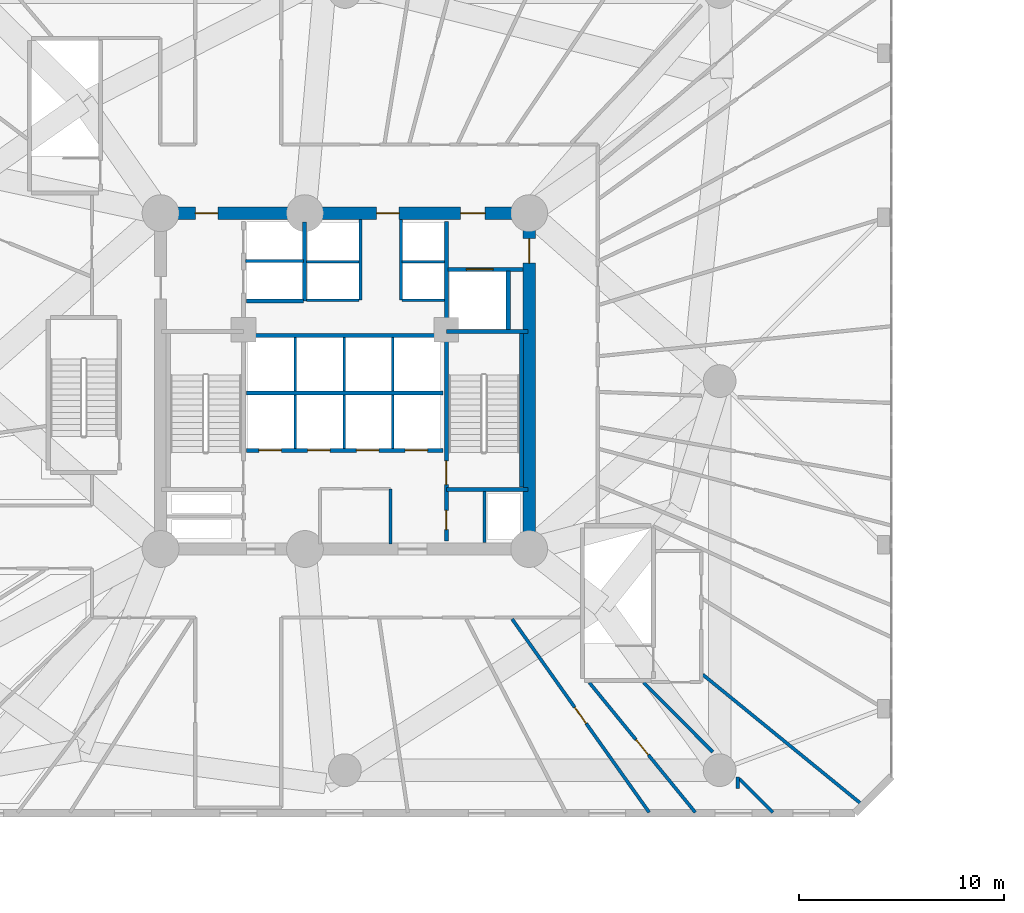
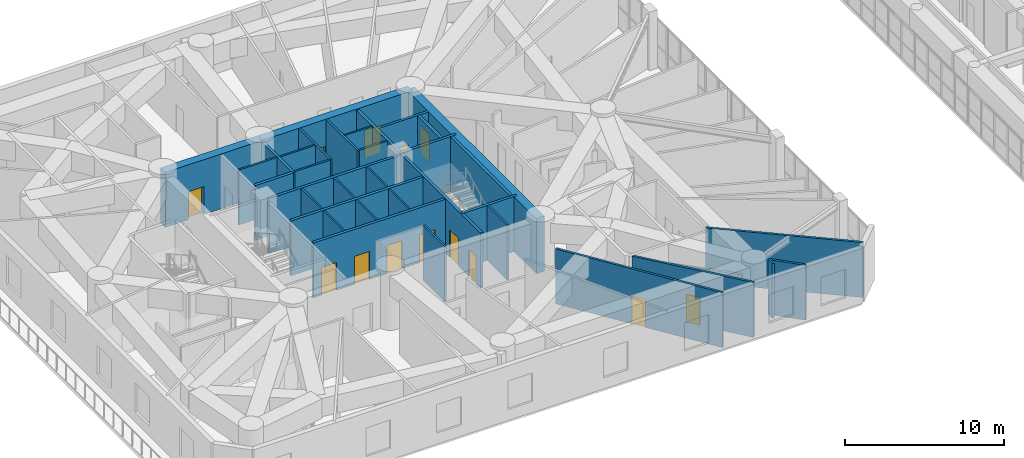
# One storey, part 15 of 22: 35 walls, 13 doors, 13 openings.
"""IFC4 building model written with IfcOpenShell, lengths in metres."""

import ifcopenshell
import ifcopenshell.guid

model = None  # the IFC model being written
_history = None  # IfcOwnerHistory: only IFC2X3 demands one
_inside = {}  # id of a spatial element -> (the spatial element, [elements in it])
_under = {}  # id of a project, library or spatial element -> (it, [spatial elements below it])
_declared = {}  # id of a project -> (the project, [libraries it declares])
_typed = {}  # id of a type object -> (the type object, [elements of that type])
_made_of = {}  # id of a material, layer set ... -> (it, [elements and type objects made of it])


def new_model(schema):
    """Start an empty IFC model of exactly this schema.

    Asked for "IFC4X3", IfcOpenShell would pick the latest addendum, in which some entities
    have other attributes; the version numbers below select the first issue.
    IFC2X3 requires an IfcOwnerHistory on every rooted entity: one is made here for all.
    """
    global model, _history
    if schema == "IFC4X3":
        model = ifcopenshell.file(schema_version=(4, 3, 0, 0))
    else:
        model = ifcopenshell.file(schema=schema)
    _inside.clear()
    _under.clear()
    _declared.clear()
    _typed.clear()
    _made_of.clear()
    _history = None
    if model.schema == "IFC2X3":
        org = make("IfcOrganization", Name="unknown")
        user = make(
            "IfcPersonAndOrganization",
            ThePerson=make("IfcPerson", FamilyName="unknown"),
            TheOrganization=org,
        )
        app = make(
            "IfcApplication",
            ApplicationDeveloper=org,
            Version="unknown",
            ApplicationFullName="unknown",
            ApplicationIdentifier="unknown",
        )
        _history = make(
            "IfcOwnerHistory",
            OwningUser=user,
            OwningApplication=app,
            ChangeAction="ADDED",
            CreationDate=0,
        )
    return model


def make(cls, **values):
    """One entity of the class cls with the attributes given. An attribute that is None is left unset."""
    return model.create_entity(
        cls, **{name: value for name, value in values.items() if value is not None}
    )


def rooted(cls, **values):
    """An entity with a GlobalId (a new one), such as an element, a storey or a relation."""
    return make(cls, GlobalId=ifcopenshell.guid.new(), OwnerHistory=_history, **values)


def si_unit(unit_type, name, prefix=None):
    """IfcSIUnit, for example si_unit("LENGTHUNIT", "METRE", prefix="MILLI")."""
    return make("IfcSIUnit", UnitType=unit_type, Prefix=prefix, Name=name)


def assignment(units):
    """IfcUnitAssignment: the units of a project."""
    return None if units is None else make("IfcUnitAssignment", Units=units)


def point(xyz):
    """IfcCartesianPoint."""
    return None if xyz is None else make("IfcCartesianPoint", Coordinates=xyz)


def direction(xyz):
    """IfcDirection."""
    return None if xyz is None else make("IfcDirection", DirectionRatios=xyz)


def frame(location, z_axis=None, x_axis=None):
    """IfcAxis2Placement3D, a coordinate frame: its origin and axes. An axis left out is left unset."""
    return make(
        "IfcAxis2Placement3D",
        Location=point(location),
        Axis=direction(z_axis),
        RefDirection=direction(x_axis),
    )


def frame_2d(location, x_axis=None):
    """IfcAxis2Placement2D, a coordinate frame in the plane: its origin and x axis."""
    return make(
        "IfcAxis2Placement2D", Location=point(location), RefDirection=direction(x_axis)
    )


def origin():
    """The frame at (0, 0, 0) with its axes left unset."""
    return frame((0.0, 0.0, 0.0))


def origin_with_axes():
    """The frame at (0, 0, 0) with the z axis (0, 0, 1) and the x axis (1, 0, 0) written out."""
    return frame((0.0, 0.0, 0.0), z_axis=(0.0, 0.0, 1.0), x_axis=(1.0, 0.0, 0.0))


def place(relative_to, where):
    """IfcLocalPlacement: puts the frame where relative to a parent placement (None: the world)."""
    return make(
        "IfcLocalPlacement", PlacementRelTo=relative_to, RelativePlacement=where
    )


def context(
    kind, dimensions, precision=None, world=None, true_north=None, identifier=None
):
    """IfcGeometricRepresentationContext, for example the 3D "Model" context."""
    return make(
        "IfcGeometricRepresentationContext",
        ContextIdentifier=identifier,
        ContextType=kind,
        CoordinateSpaceDimension=dimensions,
        Precision=precision,
        WorldCoordinateSystem=world,
        TrueNorth=true_north,
    )


def subcontext(parent, identifier, kind, view, scale=None):
    """IfcGeometricRepresentationSubContext, for example "Body" below "Model"."""
    return make(
        "IfcGeometricRepresentationSubContext",
        ContextIdentifier=identifier,
        ContextType=kind,
        ParentContext=parent,
        TargetScale=scale,
        TargetView=view,
    )


def project(units=None, contexts=None):
    """IfcProject with its units and contexts."""
    return rooted(
        "IfcProject",
        Name="project",
        RepresentationContexts=contexts,
        UnitsInContext=assignment(units),
    )


def spatial(cls, under=None, at=None, **own):
    """A site, building, storey or space (cls), placed at a placement, below another one or the project."""
    s = rooted(cls, ObjectPlacement=at, **own)
    if under is not None:
        _under.setdefault(under.id(), (under, []))[1].append(s)
    return s


def profile(cls, at=None, kind="AREA", **sizes):
    """A parametric profile (cls). Its sizes go by their IFC names, for example OverallWidth=200.0."""
    return make(cls, ProfileType=kind, Position=at, **sizes)


def rectangle(**sizes):
    """IfcRectangleProfileDef."""
    return profile("IfcRectangleProfileDef", **sizes)


def extrude(swept, where, along, depth):
    """IfcExtrudedAreaSolid: the profile swept, set in the frame where, extruded along a direction by depth."""
    return make(
        "IfcExtrudedAreaSolid",
        SweptArea=swept,
        Position=where,
        ExtrudedDirection=direction(along),
        Depth=depth,
    )


def shape(context_of_items, identifier, shape_type, items):
    """IfcShapeRepresentation: the items that make up one representation, for example the "Body"."""
    return make(
        "IfcShapeRepresentation",
        ContextOfItems=context_of_items,
        RepresentationIdentifier=identifier,
        RepresentationType=shape_type,
        Items=items,
    )


def source(mapping_origin, context_of_items, identifier, shape_type, items):
    """IfcRepresentationMap: a shape defined once, which mapped items show again and again."""
    return make(
        "IfcRepresentationMap",
        MappingOrigin=mapping_origin,
        MappedRepresentation=shape(context_of_items, identifier, shape_type, items),
    )


def transform(
    local_origin,
    x_axis=None,
    y_axis=None,
    z_axis=None,
    scale=None,
    scale2=None,
    scale3=None,
    uniform=True,
):
    """IfcCartesianTransformationOperator3D, or its non-uniform kind. x_axis, y_axis, z_axis: its Axis1, 2, 3."""
    if uniform:
        return make(
            "IfcCartesianTransformationOperator3D",
            Axis1=direction(x_axis),
            Axis2=direction(y_axis),
            LocalOrigin=point(local_origin),
            Scale=scale,
            Axis3=direction(z_axis),
        )
    return make(
        "IfcCartesianTransformationOperator3DnonUniform",
        Axis1=direction(x_axis),
        Axis2=direction(y_axis),
        LocalOrigin=point(local_origin),
        Scale=scale,
        Axis3=direction(z_axis),
        Scale2=scale2,
        Scale3=scale3,
    )


def mapped(mapping_source, mapping_target):
    """IfcMappedItem: shows the shape of a source again, moved by a transform."""
    return make(
        "IfcMappedItem", MappingSource=mapping_source, MappingTarget=mapping_target
    )


def material(Name=None, Category=None):
    """IfcMaterial."""
    return make("IfcMaterial", Name=Name, Category=Category)


def layer(
    of_material, thickness, ventilated=None, Name=None, Category=None, Priority=None
):
    """IfcMaterialLayer: one layer of a wall or slab, of a material (None: an air gap)."""
    return make(
        "IfcMaterialLayer",
        Material=of_material,
        LayerThickness=thickness,
        IsVentilated=ventilated,
        Name=Name,
        Category=Category,
        Priority=Priority,
    )


def layer_set(layers, Name=None):
    """IfcMaterialLayerSet."""
    return make("IfcMaterialLayerSet", MaterialLayers=layers, LayerSetName=Name)


def made_of(thing, what):
    """Note that an element or type object is made of a material, layer set ...; save() writes the relation."""
    if what is not None:
        _made_of.setdefault(what.id(), (what, []))[1].append(thing)
    return thing


def type_object(cls, material=None, **own):
    """A type object (cls), such as IfcWallType, which elements share."""
    return made_of(rooted(cls, **own), material)


def element(
    cls,
    number,
    at=None,
    inside=None,
    cuts=None,
    type_object=None,
    material=None,
    context=None,
    identifier="Body",
    shape_type=None,
    held_by="IfcProductDefinitionShape",
    body=None,
    shapes=None,
    **own,
):
    """One element of the class cls, such as IfcWall. Its Tag is "e" and its number.

    at: its placement. inside: the storey or other place that contains it. cuts: it is an
    opening in that element (IfcRelVoidsElement). A single representation is given by context,
    identifier, shape_type and body (its items); several are given by shapes. held_by: the class
    of the entity that holds the representations. save() writes the other relations.
    """
    e = rooted(cls, Tag="e%d" % number, ObjectPlacement=at, **own)
    if body is not None:
        shapes = [shape(context, identifier, shape_type, body)]
    if shapes is not None:
        e.Representation = make(held_by, Representations=shapes)
    if inside is not None:
        _inside.setdefault(inside.id(), (inside, []))[1].append(e)
    if cuts is not None:
        rooted(
            "IfcRelVoidsElement", RelatingBuildingElement=cuts, RelatedOpeningElement=e
        )
    if type_object is not None:
        _typed.setdefault(type_object.id(), (type_object, []))[1].append(e)
    return made_of(e, material)


def fill(opening, filler):
    """IfcRelFillsElement: the door or window that sits in an opening."""
    return rooted(
        "IfcRelFillsElement",
        RelatingOpeningElement=opening,
        RelatedBuildingElement=filler,
    )


def aggregate(whole, parts):
    """IfcRelAggregates: a whole, such as a stair, and the parts it consists of."""
    return rooted("IfcRelAggregates", RelatingObject=whole, RelatedObjects=parts)


def save(model, path):
    """Write the relations noted so far, then the file.

    IfcRelAggregates (storeys below a building ...), IfcRelContainedInSpatialStructure (elements
    in a storey), IfcRelDefinesByType, IfcRelAssociatesMaterial and IfcRelDeclares: one each for
    every whole, place, type object, material and project.
    """
    for whole, parts in _under.values():
        aggregate(whole, parts)
    for where, things in _inside.values():
        rooted(
            "IfcRelContainedInSpatialStructure",
            RelatedElements=things,
            RelatingStructure=where,
        )
    for kind, things in _typed.values():
        rooted("IfcRelDefinesByType", RelatedObjects=things, RelatingType=kind)
    for what, things in _made_of.values():
        rooted("IfcRelAssociatesMaterial", RelatedObjects=things, RelatingMaterial=what)
    for by, libraries in _declared.values():
        rooted("IfcRelDeclares", RelatingContext=by, RelatedDefinitions=libraries)
    model.write(path)


model = new_model("IFC4")

# Units and contexts
model_context = context("Model", 3, precision=1e-05, world=origin(), true_north=direction((0.0, 1.0)))
body_context = subcontext(model_context, "Body", "Model", "MODEL_VIEW")
ifc_project = project(units=[si_unit("LENGTHUNIT", "METRE"), si_unit("AREAUNIT", "SQUARE_METRE"), si_unit("VOLUMEUNIT", "CUBIC_METRE"), si_unit("PLANEANGLEUNIT", "RADIAN"), si_unit("MASSUNIT", "GRAM", prefix="KILO")], contexts=[model_context])

# Site, building, storey
site_placement = place(None, origin())
site = spatial("IfcSite", under=ifc_project, at=site_placement, CompositionType="ELEMENT")
building_placement = place(site_placement, origin())
building = spatial("IfcBuilding", under=site, at=building_placement, Name="Karkom Vertical University and Central Library", CompositionType="ELEMENT")
storey_placement = place(building_placement, frame((0.0, 0.0, 18.0)))
storey = spatial("IfcBuildingStorey", under=building, at=storey_placement, Name="L04", CompositionType="ELEMENT", Elevation=18.0)

# Wall, opening, door
ifc_material_1 = material(Name="Insulated metal-stud drywall 160mm", Category="gypsum")
ifc_layer_1 = layer(ifc_material_1, 0.159912109375)
ifc_layer_set_1 = layer_set([ifc_layer_1], Name="Insulated metal-stud drywall 160mm")
wall_type_1 = type_object("IfcWallType", Name="INT-WL-COR-160", PredefinedType="PARTITIONING", material=ifc_layer_set_1)
wall_1_placement = place(storey_placement, frame((36.666015625, 14.880126953125, 0.0), z_axis=(0.0, 0.0, 1.0), x_axis=(0.578443831224, -0.815722216272, 0.0)))
wall_1 = element("IfcWall", 1, at=wall_1_placement, inside=storey, type_object=wall_type_1, Name="Level 04 Interior Partition Wall Level 04-PODW-08-09-1", PredefinedType="PARTITIONING", context=body_context, shape_type="SweptSolid", body=[
    extrude(rectangle(XDim=11.576416015625, YDim=0.159912109375, at=frame_2d((5.7880859375, 0.0))), origin(), (0.0, 0.0, 1.0), 4.22509765625),
])
opening_1_placement = place(wall_1_placement, frame((5.2880859375, 0.0, 0.0)))
opening_1 = element("IfcOpeningElement", 2, at=opening_1_placement, cuts=wall_1, Name="Opening FD-RM2", PredefinedType="OPENING", context=body_context, shape_type="SweptSolid", body=[
    extrude(rectangle(XDim=0.9599609375, YDim=2.14990234375, at=frame_2d((0.47998046875, 1.074951171875))), frame((0.0, 0.08984375, 0.0), z_axis=(0.0, -1.0, 0.0), x_axis=(1.0, 0.0, 0.0)), (0.0, 0.0, 1.0), 0.179931640625),
])
ifc_material_2 = material(Name="Fire-rated oak veneer door", Category="wood")
door_type_1 = type_object("IfcDoorType", Name="INT-DR-FRM2", OperationType="NOTDEFINED", PredefinedType="DOOR", material=ifc_material_2)
shared_shape_1 = source(origin_with_axes(), body_context, "Body", "SweptSolid", [
    extrude(rectangle(XDim=0.9599609375, YDim=2.14990234375, at=frame_2d((0.47998046875, 1.074951171875))), frame((0.0, 0.02490234375, 0.0), z_axis=(0.0, -1.0, 0.0), x_axis=(1.0, 0.0, 0.0)), (0.0, 0.0, 1.0), 0.050048828125),
])
door_1_placement = place(opening_1_placement, origin())
door_1 = element("IfcDoor", 3, at=door_1_placement, inside=storey, type_object=door_type_1, Name="Level 04 Room Entry Door 808", OperationType="SINGLE_SWING_RIGHT", OverallHeight=2.14990234375, OverallWidth=0.9599609375, PredefinedType="DOOR", context=body_context, shape_type="MappedRepresentation", body=[
    mapped(shared_shape_1, transform((0.0, 0.0, 0.0), scale=1.0)),
])
fill(opening_1, door_1)

# Wall
wall_2_placement = place(storey_placement, frame((45.98193359375, 12.162353515625, 0.0), z_axis=(0.0, 0.0, 1.0), x_axis=(0.774901017442, -0.632082599956, 0.0)))
element("IfcWall", 4, at=wall_2_placement, inside=storey, type_object=wall_type_1, Name="Level 04 Interior Partition Wall Level 04-PODW-11-12-1", PredefinedType="PARTITIONING", context=body_context, shape_type="SweptSolid", body=[
    extrude(rectangle(XDim=10.05322265625, YDim=0.159912109375, at=frame_2d((5.026611328125, 0.0))), origin(), (0.0, 0.0, 1.0), 4.22509765625),
])

# Wall, opening, door
wall_3_placement = place(storey_placement, frame((40.441650390625, 11.77294921875, 0.0), z_axis=(0.0, 0.0, 1.0), x_axis=(0.632298947072, -0.774724493954, 0.0)))
wall_3 = element("IfcWall", 5, at=wall_3_placement, inside=storey, type_object=wall_type_1, Name="Level 04 Interior Partition Wall Level 04-PODW-09-10-1", PredefinedType="PARTITIONING", context=body_context, shape_type="SweptSolid", body=[
    extrude(rectangle(XDim=8.1748046875, YDim=0.159912109375, at=frame_2d((4.08740234375, 0.0))), origin(), (0.0, 0.0, 1.0), 4.22509765625),
])
opening_2_placement = place(wall_3_placement, frame((3.594970703125, 0.0, 0.0)))
opening_2 = element("IfcOpeningElement", 6, at=opening_2_placement, cuts=wall_3, Name="Opening FD-RM2", PredefinedType="OPENING", context=body_context, shape_type="SweptSolid", body=[
    extrude(rectangle(XDim=0.9599609375, YDim=2.14990234375, at=frame_2d((0.47998046875, 1.074951171875))), frame((0.0, 0.08984375, 0.0), z_axis=(0.0, -1.0, 0.0), x_axis=(1.0, 0.0, 0.0)), (0.0, 0.0, 1.0), 0.179931640625),
])
door_2_placement = place(opening_2_placement, origin())
door_2 = element("IfcDoor", 7, at=door_2_placement, inside=storey, type_object=door_type_1, Name="Level 04 Room Entry Door 809", OperationType="SINGLE_SWING_LEFT", OverallHeight=2.14990234375, OverallWidth=0.9599609375, PredefinedType="DOOR", context=body_context, shape_type="MappedRepresentation", body=[
    mapped(shared_shape_1, transform((0.0, 0.0, 0.0), scale=1.0)),
])
fill(opening_2, door_2)

# Walls
wall_4_placement = place(storey_placement, frame((43.091064453125, 11.77294921875, 0.0), z_axis=(0.0, 0.0, 1.0), x_axis=(0.705853252823, -0.708358091278, 0.0)))
element("IfcWall", 8, at=wall_4_placement, inside=storey, type_object=wall_type_1, Name="Level 04 Interior Partition Wall Level 04-PODW-10-11-1", PredefinedType="PARTITIONING", context=body_context, shape_type="SweptSolid", body=[
    extrude(rectangle(XDim=4.77587890625, YDim=0.159912109375, at=frame_2d((2.387939453125, 0.0))), origin(), (0.0, 0.0, 1.0), 2.72509765625),
])
wall_5_placement = place(storey_placement, frame((47.77197265625, 7.075439453125, 0.0), z_axis=(0.0, 0.0, 1.0), x_axis=(0.705886856968, -0.708324604372, 0.0)))
element("IfcWall", 9, at=wall_5_placement, inside=storey, type_object=wall_type_1, Name="Level 04 Interior Partition Wall Level 04-PODW-10-11-4", PredefinedType="PARTITIONING", context=body_context, shape_type="SweptSolid", body=[
    extrude(rectangle(XDim=2.303466796875, YDim=0.159912109375, at=frame_2d((1.15185546875, 0.0))), origin(), (0.0, 0.0, 1.0), 4.22509765625),
])
wall_6_placement = place(storey_placement, frame((47.68994140625, 6.610107421875, 0.0), z_axis=(0.0, 0.0, 1.0), x_axis=(0.0, 1.0, 0.0)))
element("IfcWall", 10, at=wall_6_placement, inside=storey, type_object=wall_type_1, Name="Level 04 Interior Partition Wall Level 04-PODW-10-11-3", PredefinedType="PARTITIONING", context=body_context, shape_type="SweptSolid", body=[
    extrude(rectangle(XDim=0.5478515625, YDim=0.159912109375, at=frame_2d((0.27392578125, 0.0))), origin(), (0.0, 0.0, 1.0), 4.22509765625),
])
ifc_material_3 = material(Name="Moisture-resistant drywall 120mm", Category="gypsum")
ifc_layer_2 = layer(ifc_material_3, 0.1201171875)
ifc_layer_set_2 = layer_set([ifc_layer_2], Name="Moisture-resistant drywall 120mm")
wall_type_2 = type_object("IfcWallType", Name="INT-WL-INT-120H", PredefinedType="PARTITIONING", material=ifc_layer_set_2)
for number, where, z_axis, x_axis, name in (
    (11, (26.080078125, 23.219970703125, 0.0), (0.0, 0.0, 1.0), (0.0, 1.0, 0.0), "Level 04 Interior Partition Wall Level 04-CW-PL-DIV1"),
    (12, (28.4599609375, 23.219970703125, 0.0), (0.0, 0.0, 1.0), (0.0, 1.0, 0.0), "Level 04 Interior Partition Wall Level 04-CW-PL-DIV2"),
    (13, (30.840087890625, 23.219970703125, 0.0), (0.0, 0.0, 1.0), (0.0, 1.0, 0.0), "Level 04 Interior Partition Wall Level 04-CW-PL-DIV3"),
    (14, (26.080078125, 26.02001953125, 0.0), (0.0, 0.0, 1.0), (0.0, 1.0, 0.0), "Level 04 Interior Partition Wall Level 04-CW-PM-DIV1"),
    (15, (28.4599609375, 26.02001953125, 0.0), (0.0, 0.0, 1.0), (0.0, 1.0, 0.0), "Level 04 Interior Partition Wall Level 04-CW-PM-DIV2"),
    (16, (30.840087890625, 26.02001953125, 0.0), (0.0, 0.0, 1.0), (0.0, 1.0, 0.0), "Level 04 Interior Partition Wall Level 04-CW-PM-DIV3"),
):
    element("IfcWall", number, at=place(storey_placement, frame(where, z_axis=z_axis, x_axis=x_axis)), inside=storey, type_object=wall_type_2, Name=name, PredefinedType="PARTITIONING", context=body_context, shape_type="SweptSolid", body=[
        extrude(rectangle(XDim=2.60009765625, YDim=0.1201171875, at=frame_2d((1.300048828125, 0.0))), origin(), (0.0, 0.0, 1.0), 4.22509765625),
    ])
wall_7_placement = place(storey_placement, frame((26.6201171875, 32.320068359375, 0.0), z_axis=(0.0, 0.0, 1.0), x_axis=(1.0, 0.0, 0.0)))
element("IfcWall", 17, at=wall_7_placement, inside=storey, type_object=wall_type_2, Name="Level 04 Interior Partition Wall Level 04-CW-PH-MW", PredefinedType="PARTITIONING", context=body_context, shape_type="SweptSolid", body=[
    extrude(rectangle(XDim=2.579833984375, YDim=0.1201171875, at=frame_2d((1.2900390625, 0.0))), origin(), (0.0, 0.0, 1.0), 4.22509765625),
])
wall_8_placement = place(storey_placement, frame((31.300048828125, 32.320068359375, 0.0), z_axis=(0.0, 0.0, 1.0), x_axis=(1.0, 0.0, 0.0)))
element("IfcWall", 18, at=wall_8_placement, inside=storey, type_object=wall_type_2, Name="Level 04 Interior Partition Wall Level 04-CW-PH-ME", PredefinedType="PARTITIONING", context=body_context, shape_type="SweptSolid", body=[
    extrude(rectangle(XDim=2.074951171875, YDim=0.1201171875, at=frame_2d((1.03759765625, 0.0))), origin(), (0.0, 0.0, 1.0), 4.22509765625),
])
ifc_material_4 = material(Name="Metal-stud gypsum partition 140mm", Category="gypsum")
ifc_layer_3 = layer(ifc_material_4, 0.139892578125)
ifc_layer_set_3 = layer_set([ifc_layer_3], Name="Metal-stud gypsum partition 140mm")
wall_type_3 = type_object("IfcWallType", Name="INT-WL-SUB-140", PredefinedType="PARTITIONING", material=ifc_layer_set_3)
wall_9_placement = place(storey_placement, frame((30.719970703125, 18.550048828125, 0.0), z_axis=(0.0, 0.0, 1.0), x_axis=(0.0, 1.0, 0.0)))
element("IfcWall", 19, at=wall_9_placement, inside=storey, type_object=wall_type_3, Name="Level 04 Interior Partition Wall Level 04-CW-KBAY-E", PredefinedType="PARTITIONING", context=body_context, shape_type="SweptSolid", body=[
    extrude(rectangle(XDim=2.68994140625, YDim=0.139892578125, at=frame_2d((1.344970703125, 0.0))), origin(), (0.0, 0.0, 1.0), 4.22509765625),
])
ifc_layer_4 = layer(ifc_material_4, 0.139892578125)
ifc_layer_set_4 = layer_set([ifc_layer_4], Name="Metal-stud gypsum partition 140mm")
wall_type_4 = type_object("IfcWallType", Name="INT-WL-SUB-140H", PredefinedType="PARTITIONING", material=ifc_layer_set_4)
for number, where, z_axis, x_axis, name in (
    (20, (29.260009765625, 30.449951171875, 0.0), (0.0, 0.0, 1.0), (0.0, 1.0, 0.0), "Level 04 Interior Partition Wall Level 04-CW-PH-W"),
    (21, (31.239990234375, 30.449951171875, 0.0), (0.0, 0.0, 1.0), (0.0, 1.0, 0.0), "Level 04 Interior Partition Wall Level 04-CW-PH-E"),
):
    element("IfcWall", number, at=place(storey_placement, frame(where, z_axis=z_axis, x_axis=x_axis)), inside=storey, type_object=wall_type_4, Name=name, PredefinedType="PARTITIONING", context=body_context, shape_type="SweptSolid", body=[
        extrude(rectangle(XDim=3.943115234375, YDim=0.139892578125, at=frame_2d((1.9716796875, 0.0))), origin(), (0.0, 0.0, 1.0), 4.22509765625),
    ])
wall_10_placement = place(storey_placement, frame((26.6201171875, 30.449951171875, 0.0), z_axis=(0.0, 0.0, 1.0), x_axis=(1.0, 0.0, 0.0)))
element("IfcWall", 22, at=wall_10_placement, inside=storey, type_object=wall_type_4, Name="Level 04 Interior Partition Wall Level 04-CW-PH-S1", PredefinedType="PARTITIONING", context=body_context, shape_type="SweptSolid", body=[
    extrude(rectangle(XDim=2.579833984375, YDim=0.139892578125, at=frame_2d((1.2900390625, 0.0))), origin(), (0.0, 0.0, 1.0), 4.22509765625),
])
wall_11_placement = place(storey_placement, frame((35.320068359375, 18.60693359375, 0.0), z_axis=(0.0, 0.0, 1.0), x_axis=(0.0, 1.0, 0.0)))
element("IfcWall", 23, at=wall_11_placement, inside=storey, type_object=wall_type_4, Name="Level 04 Interior Partition Wall Level 04-CW-RIS-E", PredefinedType="PARTITIONING", context=body_context, shape_type="SweptSolid", body=[
    extrude(rectangle(XDim=2.502685546875, YDim=0.139892578125, at=frame_2d((1.25146484375, 0.0))), origin(), (0.0, 0.0, 1.0), 4.22509765625),
])
wall_12_placement = place(storey_placement, frame((31.300048828125, 30.449951171875, 0.0), z_axis=(0.0, 0.0, 1.0), x_axis=(1.0, 0.0, 0.0)))
element("IfcWall", 24, at=wall_12_placement, inside=storey, type_object=wall_type_4, Name="Level 04 Interior Partition Wall Level 04-CW-PH-S2", PredefinedType="PARTITIONING", context=body_context, shape_type="SweptSolid", body=[
    extrude(rectangle(XDim=2.074951171875, YDim=0.139892578125, at=frame_2d((1.03759765625, 0.0))), origin(), (0.0, 0.0, 1.0), 4.22509765625),
])
ifc_layer_5 = layer(ifc_material_4, 0.139892578125)
ifc_layer_set_5 = layer_set([ifc_layer_5], Name="Metal-stud gypsum partition 140mm")
wall_type_5 = type_object("IfcWallType", Name="INT-WL-SUB-140X", PredefinedType="PARTITIONING", material=ifc_layer_set_5)
wall_13_placement = place(storey_placement, frame((23.652099609375, 32.3701171875, 0.0), z_axis=(0.0, 0.0, 1.0), x_axis=(1.0, 0.0, 0.0)))
element("IfcWall", 25, at=wall_13_placement, inside=storey, type_object=wall_type_5, Name="Level 04 Interior Partition Wall Level 04-CW-FFL-M", PredefinedType="PARTITIONING", context=body_context, shape_type="SweptSolid", body=[
    extrude(rectangle(XDim=2.827880859375, YDim=0.139892578125, at=frame_2d((1.4140625, 0.0))), origin(), (0.0, 0.0, 1.0), 4.22509765625),
])

# Wall, opening, door
ifc_material_5 = material(Name="Twin-stud acoustic drywall 180mm", Category="gypsum")
ifc_layer_6 = layer(ifc_material_5, 0.179931640625)
ifc_layer_set_6 = layer_set([ifc_layer_6], Name="Twin-stud acoustic drywall 180mm")
wall_type_6 = type_object("IfcWallType", Name="INT-WL-TEN-180F", PredefinedType="PARTITIONING", material=ifc_layer_set_6)
wall_14_placement = place(storey_placement, frame((33.534912109375, 31.949951171875, 0.0), z_axis=(0.0, 0.0, 1.0), x_axis=(1.0, 0.0, 0.0)))
wall_14 = element("IfcWall", 26, at=wall_14_placement, inside=storey, type_object=wall_type_6, Name="Level 04 Interior Partition Wall Level 04-CW-SVL-N", PredefinedType="PARTITIONING", context=body_context, shape_type="SweptSolid", body=[
    extrude(rectangle(XDim=3.658447265625, YDim=0.179931640625, at=frame_2d((1.8291015625, 0.0))), origin(), (0.0, 0.0, 1.0), 4.22509765625),
])
opening_3_placement = place(wall_14_placement, frame((0.89990234375, 0.0, 0.0)))
opening_3 = element("IfcOpeningElement", 27, at=opening_3_placement, cuts=wall_14, Name="Opening LD-SV1", PredefinedType="OPENING", context=body_context, shape_type="SweptSolid", body=[
    extrude(rectangle(XDim=1.300048828125, YDim=2.199951171875, at=frame_2d((0.64990234375, 1.10009765625))), frame((0.0, 0.10009765625, 0.0), z_axis=(0.0, -1.0, 0.0), x_axis=(1.0, 0.0, 0.0)), (0.0, 0.0, 1.0), 0.199951171875),
])
ifc_material_6 = material(Name="Brushed stainless-steel landing door", Category="steel")
door_type_2 = type_object("IfcDoorType", Name="INT-DR-LD-SV1", OperationType="SLIDING_TO_LEFT", PredefinedType="DOOR", material=ifc_material_6)
shared_shape_2 = source(origin_with_axes(), body_context, "Body", "SweptSolid", [
    extrude(rectangle(XDim=1.300048828125, YDim=2.199951171875, at=frame_2d((0.64990234375, 1.10009765625))), frame((0.0, 0.02490234375, 0.0), z_axis=(0.0, -1.0, 0.0), x_axis=(1.0, 0.0, 0.0)), (0.0, 0.0, 1.0), 0.050048828125),
])
door_3_placement = place(opening_3_placement, origin())
door_3 = element("IfcDoor", 28, at=door_3_placement, inside=storey, type_object=door_type_2, Name="Level 04 Service Lift Landing Door LD-SV1", OperationType="SLIDING_TO_LEFT", OverallHeight=2.199951171875, OverallWidth=1.300048828125, PredefinedType="DOOR", context=body_context, shape_type="MappedRepresentation", body=[
    mapped(shared_shape_2, transform((0.0, 0.0, 0.0), scale=1.0)),
])
fill(opening_3, door_3)

ifc_material_7 = material(Name="Concrete C50/60", Category="concrete")
ifc_layer_7 = layer(ifc_material_7, 0.60009765625)
ifc_layer_set_7 = layer_set([ifc_layer_7], Name="Concrete C50/60")
wall_type_7 = type_object("IfcWallType", Name="STR-WL-CW-600", PredefinedType="SHEAR", material=ifc_layer_set_7)
wall_15_placement = place(storey_placement, frame((37.5, 18.300048828125, 0.0), z_axis=(0.0, 0.0, 1.0), x_axis=(0.0, 1.0, 0.0)))
wall_15 = element("IfcWall", 29, at=wall_15_placement, inside=storey, type_object=wall_type_7, Name="Level 04 Central Core Shear Wall EW", PredefinedType="SHEAR", context=body_context, shape_type="SweptSolid", body=[
    extrude(rectangle(XDim=16.39990234375, YDim=0.60009765625, at=frame_2d((8.199951171875, 0.0))), origin(), (0.0, 0.0, 1.0), 4.22509765625),
])
opening_4_placement = place(wall_15_placement, frame((13.9599609375, 0.0, 0.0)))
opening_4 = element("IfcOpeningElement", 30, at=opening_4_placement, cuts=wall_15, Name="Opening FD-SUB1", PredefinedType="OPENING", context=body_context, shape_type="SweptSolid", body=[
    extrude(rectangle(XDim=1.199951171875, YDim=2.14990234375, at=frame_2d((0.60009765625, 1.074951171875))), frame((0.0, 0.31005859375, 0.0), z_axis=(0.0, -1.0, 0.0), x_axis=(1.0, 0.0, 0.0)), (0.0, 0.0, 1.0), 0.6201171875),
])
ifc_material_8 = material(Name="Painted steel fire door", Category="steel")
door_type_3 = type_object("IfcDoorType", Name="INT-DR-SUB1", OperationType="NOTDEFINED", PredefinedType="DOOR", material=ifc_material_8)
shared_shape_3 = source(origin_with_axes(), body_context, "Body", "SweptSolid", [
    extrude(rectangle(XDim=1.199951171875, YDim=2.14990234375, at=frame_2d((0.60009765625, 1.074951171875))), frame((0.0, 0.02490234375, 0.0), z_axis=(0.0, -1.0, 0.0), x_axis=(1.0, 0.0, 0.0)), (0.0, 0.0, 1.0), 0.050048828125),
])
door_4_placement = place(opening_4_placement, origin())
door_4 = element("IfcDoor", 31, at=door_4_placement, inside=storey, type_object=door_type_3, Name="Level 04 East Corridor Service Lobby Door", OperationType="SINGLE_SWING_RIGHT", OverallHeight=2.14990234375, OverallWidth=1.199951171875, PredefinedType="DOOR", context=body_context, shape_type="MappedRepresentation", body=[
    mapped(shared_shape_3, transform((0.0, 0.0, 0.0), scale=1.0)),
])
fill(opening_4, door_4)

# Wall, openings, doors
wall_16_placement = place(storey_placement, frame((37.5, 34.699951171875, 0.0), z_axis=(0.0, 0.0, 1.0), x_axis=(-1.0, 0.0, 0.0)))
wall_16 = element("IfcWall", 32, at=wall_16_placement, inside=storey, type_object=wall_type_7, Name="Level 04 Central Core Shear Wall NW1", PredefinedType="SHEAR", context=body_context, shape_type="SweptSolid", body=[
    extrude(rectangle(XDim=10.949951171875, YDim=0.60009765625, at=frame_2d((5.47509765625, 0.0))), origin(), (0.0, 0.0, 1.0), 4.22509765625),
])
opening_5_placement = place(wall_16_placement, frame((2.14990234375, 0.0, 0.0)))
opening_5 = element("IfcOpeningElement", 33, at=opening_5_placement, cuts=wall_16, Name="Opening FD-SUB1", PredefinedType="OPENING", context=body_context, shape_type="SweptSolid", body=[
    extrude(rectangle(XDim=1.199951171875, YDim=2.14990234375, at=frame_2d((0.60009765625, 1.074951171875))), frame((0.0, 0.31005859375, 0.0), z_axis=(0.0, -1.0, 0.0), x_axis=(1.0, 0.0, 0.0)), (0.0, 0.0, 1.0), 0.6201171875),
])
opening_6_placement = place(wall_16_placement, frame((6.35009765625, 0.0, 0.0)))
opening_6 = element("IfcOpeningElement", 34, at=opening_6_placement, cuts=wall_16, Name="Opening FD-FFL", PredefinedType="OPENING", context=body_context, shape_type="SweptSolid", body=[
    extrude(rectangle(XDim=1.10009765625, YDim=2.14990234375, at=frame_2d((0.550048828125, 1.074951171875))), frame((0.0, 0.31005859375, 0.0), z_axis=(0.0, -1.0, 0.0), x_axis=(1.0, 0.0, 0.0)), (0.0, 0.0, 1.0), 0.6201171875),
])
ifc_material_9 = material(Name="Painted steel smoke-seal fire door", Category="steel")
door_type_4 = type_object("IfcDoorType", Name="INT-DR-FFL", OperationType="NOTDEFINED", PredefinedType="DOOR", material=ifc_material_9)
shared_shape_4 = source(origin_with_axes(), body_context, "Body", "SweptSolid", [
    extrude(rectangle(XDim=1.10009765625, YDim=2.14990234375, at=frame_2d((0.550048828125, 1.074951171875))), frame((0.0, 0.02490234375, 0.0), z_axis=(0.0, -1.0, 0.0), x_axis=(1.0, 0.0, 0.0)), (0.0, 0.0, 1.0), 0.050048828125),
])
door_5_placement = place(opening_6_placement, origin())
door_5 = element("IfcDoor", 35, at=door_5_placement, inside=storey, type_object=door_type_4, Name="Level 04 North Core Lobby Exit Door", OperationType="SINGLE_SWING_RIGHT", OverallHeight=2.14990234375, OverallWidth=1.10009765625, PredefinedType="DOOR", context=body_context, shape_type="MappedRepresentation", body=[
    mapped(shared_shape_4, transform((0.0, 0.0, 0.0), scale=1.0)),
])
fill(opening_6, door_5)
door_6_placement = place(opening_5_placement, origin())
door_6 = element("IfcDoor", 36, at=door_6_placement, inside=storey, type_object=door_type_3, Name="Level 04 Service Lobby Fire Door", OperationType="SINGLE_SWING_LEFT", OverallHeight=2.14990234375, OverallWidth=1.199951171875, PredefinedType="DOOR", context=body_context, shape_type="MappedRepresentation", body=[
    mapped(shared_shape_3, transform((0.0, 0.0, 0.0), scale=1.0)),
])
fill(opening_5, door_6)

# Wall, opening, door
wall_17_placement = place(storey_placement, frame((26.550048828125, 34.699951171875, 0.0), z_axis=(0.0, 0.0, 1.0), x_axis=(-1.0, 0.0, 0.0)))
wall_17 = element("IfcWall", 37, at=wall_17_placement, inside=storey, type_object=wall_type_7, Name="Level 04 Central Core Shear Wall NW2", PredefinedType="SHEAR", context=body_context, shape_type="SweptSolid", body=[
    extrude(rectangle(XDim=7.050048828125, YDim=0.60009765625, at=frame_2d((3.52490234375, 0.0))), origin(), (0.0, 0.0, 1.0), 4.22509765625),
])
opening_7_placement = place(wall_17_placement, frame((4.25, 0.0, 0.0)))
opening_7 = element("IfcOpeningElement", 38, at=opening_7_placement, cuts=wall_17, Name="Opening FD-FFL", PredefinedType="OPENING", context=body_context, shape_type="SweptSolid", body=[
    extrude(rectangle(XDim=1.10009765625, YDim=2.14990234375, at=frame_2d((0.550048828125, 1.074951171875))), frame((0.0, 0.31005859375, 0.0), z_axis=(0.0, -1.0, 0.0), x_axis=(1.0, 0.0, 0.0)), (0.0, 0.0, 1.0), 0.6201171875),
])
door_7_placement = place(opening_7_placement, origin())
door_7 = element("IfcDoor", 39, at=door_7_placement, inside=storey, type_object=door_type_4, Name="Level 04 Firefighting Lobby Door", OperationType="SINGLE_SWING_RIGHT", OverallHeight=2.14990234375, OverallWidth=1.10009765625, PredefinedType="DOOR", context=body_context, shape_type="MappedRepresentation", body=[
    mapped(shared_shape_4, transform((0.0, 0.0, 0.0), scale=1.0)),
])
fill(opening_7, door_7)

# Wall, openings, doors
ifc_material_10 = material(Name="Concrete C45/55", Category="concrete")
ifc_layer_8 = layer(ifc_material_10, 0.199951171875)
ifc_layer_set_8 = layer_set([ifc_layer_8], Name="Concrete C45/55")
wall_type_8 = type_object("IfcWallType", Name="STR-WL-ST-200", PredefinedType="SHEAR", material=ifc_layer_set_8)
wall_18_placement = place(storey_placement, frame((33.455078125, 18.699951171875, 0.0), z_axis=(0.0, 0.0, 1.0), x_axis=(0.0, 1.0, 0.0)))
wall_18 = element("IfcWall", 40, at=wall_18_placement, inside=storey, type_object=wall_type_8, Name="Level 04 Core Shaft Wall Level 04-CW-ST2-W", PredefinedType="SHEAR", context=body_context, shape_type="SweptSolid", body=[
    extrude(rectangle(XDim=15.60009765625, YDim=0.199951171875, at=frame_2d((7.800048828125, 0.0))), origin(), (0.0, 0.0, 1.0), 4.22509765625),
])
opening_8_placement = place(wall_18_placement, frame((2.75, 0.0, 0.0)))
opening_8 = element("IfcOpeningElement", 41, at=opening_8_placement, cuts=wall_18, Name="Opening FD-ST1", PredefinedType="OPENING", context=body_context, shape_type="SweptSolid", body=[
    extrude(rectangle(XDim=1.14990234375, YDim=2.14990234375, at=frame_2d((0.574951171875, 1.074951171875))), frame((0.0, 0.10986328125, 0.0), z_axis=(0.0, -1.0, 0.0), x_axis=(1.0, 0.0, 0.0)), (0.0, 0.0, 1.0), 0.219970703125),
])
opening_9_placement = place(wall_18_placement, frame((0.550048828125, 0.0, 0.0)))
opening_9 = element("IfcOpeningElement", 42, at=opening_9_placement, cuts=wall_18, Name="Opening D-WC1", PredefinedType="OPENING", context=body_context, shape_type="SweptSolid", body=[
    extrude(rectangle(XDim=0.93994140625, YDim=2.10009765625, at=frame_2d((0.469970703125, 1.050048828125))), frame((0.0, 0.10986328125, 0.0), z_axis=(0.0, -1.0, 0.0), x_axis=(1.0, 0.0, 0.0)), (0.0, 0.0, 1.0), 0.219970703125),
])
ifc_material_11 = material(Name="Painted steel acoustic fire door", Category="steel")
door_type_5 = type_object("IfcDoorType", Name="INT-DR-ST1", OperationType="NOTDEFINED", PredefinedType="DOOR", material=ifc_material_11)
shared_shape_5 = source(origin_with_axes(), body_context, "Body", "SweptSolid", [
    extrude(rectangle(XDim=1.14990234375, YDim=2.14990234375, at=frame_2d((0.574951171875, 1.074951171875))), frame((0.0, 0.02490234375, 0.0), z_axis=(0.0, -1.0, 0.0), x_axis=(1.0, 0.0, 0.0)), (0.0, 0.0, 1.0), 0.050048828125),
])
door_8_placement = place(opening_8_placement, origin())
door_8 = element("IfcDoor", 43, at=door_8_placement, inside=storey, type_object=door_type_5, Name="Level 04 Stair ST-2 Fire Door", OperationType="SINGLE_SWING_LEFT", OverallHeight=2.14990234375, OverallWidth=1.14990234375, PredefinedType="DOOR", context=body_context, shape_type="MappedRepresentation", body=[
    mapped(shared_shape_5, transform((0.0, 0.0, 0.0), scale=1.0)),
])
fill(opening_8, door_8)
ifc_material_12 = material(Name="Fire-rated laminate moisture-resistant door", Category="wood")
door_type_6 = type_object("IfcDoorType", Name="INT-DR-WC1", OperationType="NOTDEFINED", PredefinedType="DOOR", material=ifc_material_12)
shared_shape_6 = source(origin_with_axes(), body_context, "Body", "SweptSolid", [
    extrude(rectangle(XDim=0.93994140625, YDim=2.10009765625, at=frame_2d((0.469970703125, 1.050048828125))), frame((0.0, 0.02490234375, 0.0), z_axis=(0.0, -1.0, 0.0), x_axis=(1.0, 0.0, 0.0)), (0.0, 0.0, 1.0), 0.050048828125),
])
door_9_placement = place(opening_9_placement, origin())
door_9 = element("IfcDoor", 44, at=door_9_placement, inside=storey, type_object=door_type_6, Name="Level 04 Accessible WC Door", OperationType="SINGLE_SWING_RIGHT", OverallHeight=2.10009765625, OverallWidth=0.93994140625, PredefinedType="DOOR", context=body_context, shape_type="MappedRepresentation", body=[
    mapped(shared_shape_6, transform((0.0, 0.0, 0.0), scale=1.0)),
])
fill(opening_9, door_9)

wall_19_placement = place(storey_placement, frame((23.699951171875, 23.1201171875, 0.0), z_axis=(0.0, 0.0, 1.0), x_axis=(1.0, 0.0, 0.0)))
wall_19 = element("IfcWall", 45, at=wall_19_placement, inside=storey, type_object=wall_type_8, Name="Level 04 Core Shaft Wall Level 04-CW-B1-S", PredefinedType="SHEAR", context=body_context, shape_type="SweptSolid", body=[
    extrude(rectangle(XDim=9.60009765625, YDim=0.199951171875, at=frame_2d((4.800048828125, 0.0))), origin(), (0.0, 0.0, 1.0), 4.22509765625),
])
opening_10_placement = place(wall_19_placement, frame((0.60009765625, 0.0, 0.0)))
opening_10 = element("IfcOpeningElement", 46, at=opening_10_placement, cuts=wall_19, Name="Opening LD-PAX", PredefinedType="OPENING", context=body_context, shape_type="SweptSolid", body=[
    extrude(rectangle(XDim=1.10009765625, YDim=2.14990234375, at=frame_2d((0.550048828125, 1.074951171875))), frame((0.0, 0.10986328125, 0.0), z_axis=(0.0, -1.0, 0.0), x_axis=(1.0, 0.0, 0.0)), (0.0, 0.0, 1.0), 0.219970703125),
])
opening_11_placement = place(wall_19_placement, frame((2.97998046875, 0.0, 0.0)))
opening_11 = element("IfcOpeningElement", 47, at=opening_11_placement, cuts=wall_19, Name="Opening LD-PAX", PredefinedType="OPENING", context=body_context, shape_type="SweptSolid", body=[
    extrude(rectangle(XDim=1.10009765625, YDim=2.14990234375, at=frame_2d((0.550048828125, 1.074951171875))), frame((0.0, 0.10986328125, 0.0), z_axis=(0.0, -1.0, 0.0), x_axis=(1.0, 0.0, 0.0)), (0.0, 0.0, 1.0), 0.219970703125),
])
opening_12_placement = place(wall_19_placement, frame((5.360107421875, 0.0, 0.0)))
opening_12 = element("IfcOpeningElement", 48, at=opening_12_placement, cuts=wall_19, Name="Opening LD-PAX", PredefinedType="OPENING", context=body_context, shape_type="SweptSolid", body=[
    extrude(rectangle(XDim=1.10009765625, YDim=2.14990234375, at=frame_2d((0.550048828125, 1.074951171875))), frame((0.0, 0.10986328125, 0.0), z_axis=(0.0, -1.0, 0.0), x_axis=(1.0, 0.0, 0.0)), (0.0, 0.0, 1.0), 0.219970703125),
])
opening_13_placement = place(wall_19_placement, frame((7.739990234375, 0.0, 0.0)))
opening_13 = element("IfcOpeningElement", 49, at=opening_13_placement, cuts=wall_19, Name="Opening LD-PAX", PredefinedType="OPENING", context=body_context, shape_type="SweptSolid", body=[
    extrude(rectangle(XDim=1.10009765625, YDim=2.14990234375, at=frame_2d((0.550048828125, 1.074951171875))), frame((0.0, 0.10986328125, 0.0), z_axis=(0.0, -1.0, 0.0), x_axis=(1.0, 0.0, 0.0)), (0.0, 0.0, 1.0), 0.219970703125),
])
door_type_7 = type_object("IfcDoorType", Name="INT-DR-LD-PAX", OperationType="SLIDING_TO_LEFT", PredefinedType="DOOR", material=ifc_material_6)
door_10_placement = place(opening_10_placement, origin())
door_10 = element("IfcDoor", 50, at=door_10_placement, inside=storey, type_object=door_type_7, Name="Level 04 Lift PL-1 Landing Door", OperationType="SLIDING_TO_LEFT", OverallHeight=2.14990234375, OverallWidth=1.10009765625, PredefinedType="DOOR", context=body_context, shape_type="MappedRepresentation", body=[
    mapped(shared_shape_4, transform((0.0, 0.0, 0.0), scale=1.0)),
])
fill(opening_10, door_10)
door_11_placement = place(opening_11_placement, origin())
door_11 = element("IfcDoor", 51, at=door_11_placement, inside=storey, type_object=door_type_7, Name="Level 04 Lift PL-2 Landing Door", OperationType="SLIDING_TO_RIGHT", OverallHeight=2.14990234375, OverallWidth=1.10009765625, PredefinedType="DOOR", context=body_context, shape_type="MappedRepresentation", body=[
    mapped(shared_shape_4, transform((0.0, 0.0, 0.0), scale=1.0)),
])
fill(opening_11, door_11)
door_12_placement = place(opening_12_placement, origin())
door_12 = element("IfcDoor", 52, at=door_12_placement, inside=storey, type_object=door_type_7, Name="Level 04 Lift PL-3 Landing Door", OperationType="SLIDING_TO_LEFT", OverallHeight=2.14990234375, OverallWidth=1.10009765625, PredefinedType="DOOR", context=body_context, shape_type="MappedRepresentation", body=[
    mapped(shared_shape_4, transform((0.0, 0.0, 0.0), scale=1.0)),
])
fill(opening_12, door_12)
door_13_placement = place(opening_13_placement, origin())
door_13 = element("IfcDoor", 53, at=door_13_placement, inside=storey, type_object=door_type_7, Name="Level 04 Lift PL-4 Landing Door", OperationType="SLIDING_TO_RIGHT", OverallHeight=2.14990234375, OverallWidth=1.10009765625, PredefinedType="DOOR", context=body_context, shape_type="MappedRepresentation", body=[
    mapped(shared_shape_4, transform((0.0, 0.0, 0.0), scale=1.0)),
])
fill(opening_13, door_13)

# Walls
for number, where, z_axis, x_axis, name in (
    (54, (23.699951171875, 25.919921875, 0.0), (0.0, 0.0, 1.0), (1.0, 0.0, 0.0), "Level 04 Core Shaft Wall Level 04-CW-B1-N"),
    (55, (23.699951171875, 28.719970703125, 0.0), (0.0, 0.0, 1.0), (1.0, 0.0, 0.0), "Level 04 Core Shaft Wall Level 04-CW-B2-N"),
):
    element("IfcWall", number, at=place(storey_placement, frame(where, z_axis=z_axis, x_axis=x_axis)), inside=storey, type_object=wall_type_8, Name=name, PredefinedType="SHEAR", context=body_context, shape_type="SweptSolid", body=[
        extrude(rectangle(XDim=9.60009765625, YDim=0.199951171875, at=frame_2d((4.800048828125, 0.0))), origin(), (0.0, 0.0, 1.0), 4.22509765625),
    ])
wall_20_placement = place(storey_placement, frame((37.125, 21.320068359375, 0.0), z_axis=(0.0, 0.0, 1.0), x_axis=(0.0, 1.0, 0.0)))
element("IfcWall", 56, at=wall_20_placement, inside=storey, type_object=wall_type_8, Name="Level 04 Core Shaft Wall Level 04-CW-ST2-E", PredefinedType="SHEAR", context=body_context, shape_type="SweptSolid", body=[
    extrude(rectangle(XDim=7.5, YDim=0.199951171875, at=frame_2d((3.75, 0.0))), origin(), (0.0, 0.0, 1.0), 4.22509765625),
])
for number, where, z_axis, x_axis, name in (
    (57, (33.455078125, 21.215087890625, 0.0), (0.0, 0.0, 1.0), (1.0, 0.0, 0.0), "Level 04 Core Shaft Wall Level 04-CW-ST2-S"),
    (58, (33.455078125, 28.925048828125, 0.0), (0.0, 0.0, 1.0), (1.0, 0.0, 0.0), "Level 04 Core Shaft Wall Level 04-CW-ST2-N"),
):
    element("IfcWall", number, at=place(storey_placement, frame(where, z_axis=z_axis, x_axis=x_axis)), inside=storey, type_object=wall_type_8, Name=name, PredefinedType="SHEAR", context=body_context, shape_type="SweptSolid", body=[
        extrude(rectangle(XDim=3.994873046875, YDim=0.199951171875, at=frame_2d((1.99755859375, 0.0))), origin(), (0.0, 0.0, 1.0), 4.22509765625),
    ])
wall_21_placement = place(storey_placement, frame((26.52001953125, 30.419921875, 0.0), z_axis=(0.0, 0.0, 1.0), x_axis=(0.0, 1.0, 0.0)))
element("IfcWall", 59, at=wall_21_placement, inside=storey, type_object=wall_type_8, Name="Level 04 Core Shaft Wall Level 04-CW-FFL-E", PredefinedType="SHEAR", context=body_context, shape_type="SweptSolid", body=[
    extrude(rectangle(XDim=3.860107421875, YDim=0.199951171875, at=frame_2d((1.93017578125, 0.0))), origin(), (0.0, 0.0, 1.0), 4.22509765625),
])
wall_22_placement = place(storey_placement, frame((36.47998046875, 29.02001953125, 0.0), z_axis=(0.0, 0.0, 1.0), x_axis=(0.0, 1.0, 0.0)))
element("IfcWall", 60, at=wall_22_placement, inside=storey, type_object=wall_type_8, Name="Level 04 Core Shaft Wall Level 04-CW-SVL-E", PredefinedType="SHEAR", context=body_context, shape_type="SweptSolid", body=[
    extrude(rectangle(XDim=2.85986328125, YDim=0.199951171875, at=frame_2d((1.429931640625, 0.0))), origin(), (0.0, 0.0, 1.0), 4.22509765625),
])
wall_23_placement = place(storey_placement, frame((23.699951171875, 30.419921875, 0.0), z_axis=(0.0, 0.0, 1.0), x_axis=(1.0, 0.0, 0.0)))
element("IfcWall", 61, at=wall_23_placement, inside=storey, type_object=wall_type_8, Name="Level 04 Core Shaft Wall Level 04-CW-FFL-S", PredefinedType="SHEAR", context=body_context, shape_type="SweptSolid", body=[
    extrude(rectangle(XDim=2.780029296875, YDim=0.199951171875, at=frame_2d((1.39013671875, 0.0))), origin(), (0.0, 0.0, 1.0), 4.22509765625),
])

save(model, "model.ifc")
